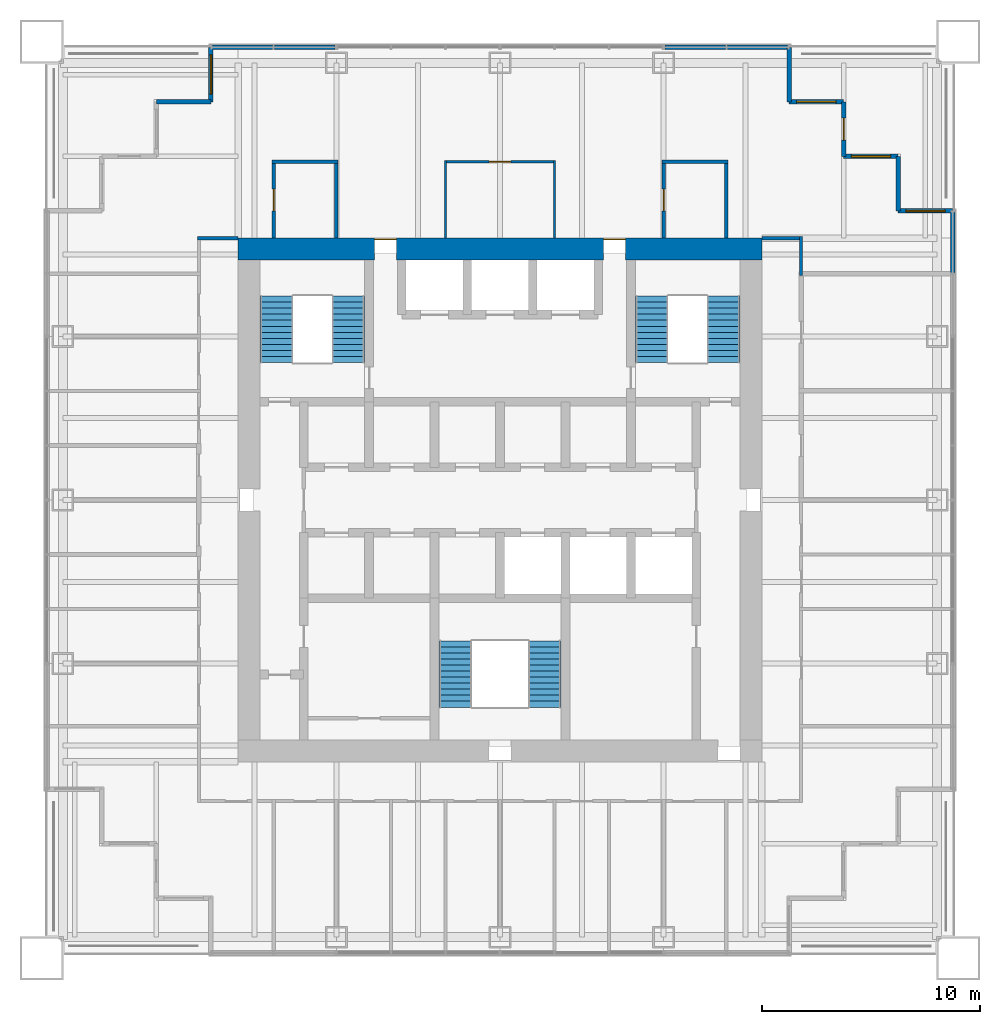
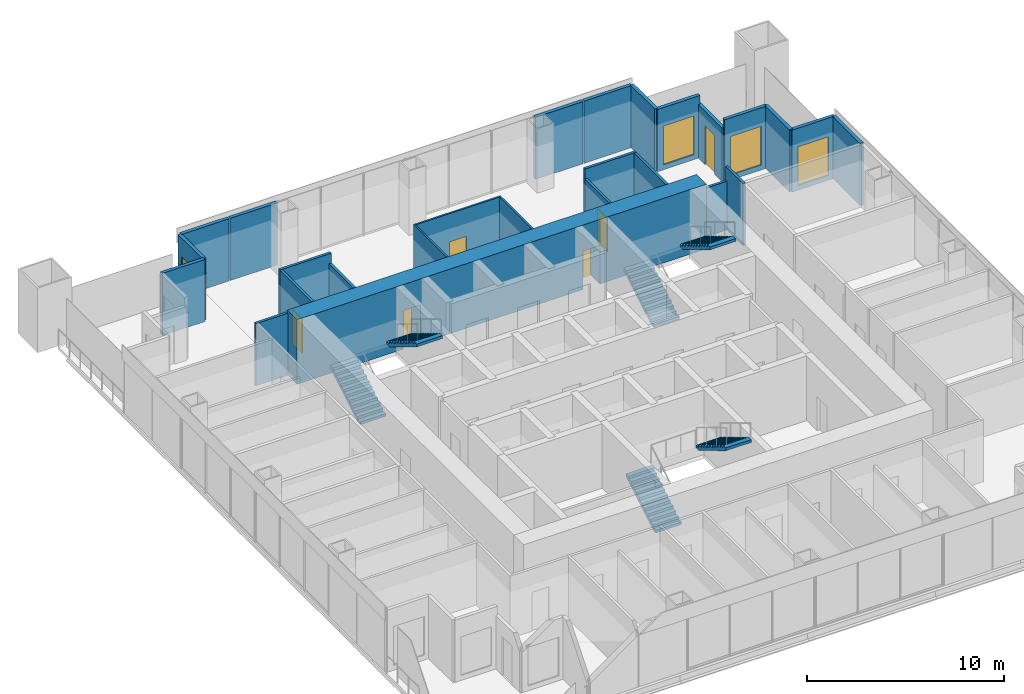
# One storey, part 12 of 14: 26 walls, 6 doors, 6 stair flights, 4 windows, 10 openings, 3 elements without a shape of their own.
"""IFC4 building model written with IfcOpenShell, lengths in metres."""

from ifc_helpers import new_model, si_unit, direction, frame, frame_2d, origin, place, context, subcontext, project, spatial, polyline, rectangle, outline, extrude, material, layer, layer_set, type_object, element, fill, aggregate, save


model = new_model("IFC4")

# Units and contexts
model_context = context("Model", 3, precision=1e-05, world=origin(), true_north=direction((0.0, 1.0)))
body_context = subcontext(model_context, "Body", "Model", "MODEL_VIEW")
ifc_project = project(units=[si_unit("LENGTHUNIT", "METRE"), si_unit("AREAUNIT", "SQUARE_METRE"), si_unit("VOLUMEUNIT", "CUBIC_METRE"), si_unit("PLANEANGLEUNIT", "RADIAN"), si_unit("MASSUNIT", "GRAM", prefix="KILO")], contexts=[model_context])

# Site, building, storey
site_placement = place(None, origin())
site = spatial("IfcSite", under=ifc_project, at=site_placement, CompositionType="ELEMENT")
building_placement = place(site_placement, origin())
building = spatial("IfcBuilding", under=site, at=building_placement, Name="Tarangal Relay Tower", CompositionType="ELEMENT")
storey_placement = place(building_placement, frame((0.0, 0.0, 303.89990234375)))
storey = spatial("IfcBuildingStorey", under=building, at=storey_placement, Name="L67", CompositionType="ELEMENT", Elevation=303.89990234375)

# Wall, openings, doors
ifc_material_1 = material(Name="Concrete fc' 60 MPa", Category="concrete")
ifc_layer_1 = layer(ifc_material_1, 1.0)
ifc_layer_set_1 = layer_set([ifc_layer_1], Name="Core wall 1000")
wall_type_1 = type_object("IfcWallType", Name="Core wall 1000", PredefinedType="SHEAR", material=ifc_layer_set_1)
wall_1_placement = place(storey_placement, frame((-12.0, 11.5, 0.0), z_axis=(0.0, 0.0, 1.0), x_axis=(1.0, 0.0, 0.0)))
wall_1 = element("IfcWall", 1, at=wall_1_placement, inside=storey, type_object=wall_type_1, Name="Core wall N L67", PredefinedType="SHEAR", context=body_context, shape_type="SweptSolid", body=[
    extrude(rectangle(XDim=24.0, YDim=1.0, at=frame_2d((12.0, 0.0))), origin(), (0.0, 0.0, 1.0), 4.0),
])
opening_1_placement = place(wall_1_placement, frame((6.25, 0.0, 0.0)))
opening_1 = element("IfcOpeningElement", 2, at=opening_1_placement, cuts=wall_1, Name="Opening FD3", PredefinedType="OPENING", context=body_context, shape_type="SweptSolid", body=[
    extrude(rectangle(XDim=1.0, YDim=2.39990234375, at=frame_2d((0.5, 1.199951171875))), frame((0.0, 0.510009765625, 0.0), z_axis=(0.0, -1.0, 0.0), x_axis=(1.0, 0.0, 0.0)), (0.0, 0.0, 1.0), 1.02001953125),
])
opening_2_placement = place(wall_1_placement, frame((16.75, 0.0, 0.0)))
opening_2 = element("IfcOpeningElement", 3, at=opening_2_placement, cuts=wall_1, Name="Opening FD3", PredefinedType="OPENING", context=body_context, shape_type="SweptSolid", body=[
    extrude(rectangle(XDim=1.0, YDim=2.39990234375, at=frame_2d((0.5, 1.199951171875))), frame((0.0, 0.510009765625, 0.0), z_axis=(0.0, -1.0, 0.0), x_axis=(1.0, 0.0, 0.0)), (0.0, 0.0, 1.0), 1.02001953125),
])
ifc_material_2 = material(Name="Steel door with hardwood frame", Category="steel")
door_type_1 = type_object("IfcDoorType", Name="Fire door 1000 x 2400 core entry", OperationType="SINGLE_SWING_RIGHT", PredefinedType="DOOR", material=ifc_material_2)
door_1_placement = place(opening_1_placement, origin())
door_1 = element("IfcDoor", 4, at=door_1_placement, inside=storey, type_object=door_type_1, Name="Core entry door north west L67", OperationType="SINGLE_SWING_RIGHT", OverallHeight=2.39990234375, OverallWidth=1.0, PredefinedType="DOOR", context=body_context, shape_type="SweptSolid", body=[
    extrude(rectangle(XDim=1.0, YDim=2.39990234375, at=frame_2d((0.5, 1.199951171875))), frame((0.0, 0.48486328125, 0.0), z_axis=(0.0, -1.0, 0.0), x_axis=(1.0, 0.0, 0.0)), (0.0, 0.0, 1.0), 0.050048828125),
])
fill(opening_1, door_1)
door_2_placement = place(opening_2_placement, origin())
door_2 = element("IfcDoor", 5, at=door_2_placement, inside=storey, type_object=door_type_1, Name="Core entry door north east L67", OperationType="SINGLE_SWING_RIGHT", OverallHeight=2.39990234375, OverallWidth=1.0, PredefinedType="DOOR", context=body_context, shape_type="SweptSolid", body=[
    extrude(rectangle(XDim=1.0, YDim=2.39990234375, at=frame_2d((0.5, 1.199951171875))), frame((0.0, 0.48486328125, 0.0), z_axis=(0.0, -1.0, 0.0), x_axis=(1.0, 0.0, 0.0)), (0.0, 0.0, 1.0), 0.050048828125),
])
fill(opening_2, door_2)

# Wall
ifc_material_3 = material(Name="Black metal clad insulated wall", Category="steel")
ifc_layer_2 = layer(ifc_material_3, 0.199951171875)
ifc_layer_set_2 = layer_set([ifc_layer_2], Name="Corner wall metal clad 200")
wall_type_2 = type_object("IfcWallType", Name="Corner wall metal clad 200", PredefinedType="SOLIDWALL", material=ifc_layer_set_2)
wall_2_placement = place(storey_placement, frame((13.25, 20.75, 0.0), z_axis=(0.0, 0.0, 1.0), x_axis=(0.0, -1.0, 0.0)))
element("IfcWall", 6, at=wall_2_placement, inside=storey, type_object=wall_type_2, Name="Facade wall N facade L67", PredefinedType="SOLIDWALL", context=body_context, shape_type="SweptSolid", body=[
    extrude(rectangle(XDim=2.5, YDim=0.199951171875, at=frame_2d((1.25, 0.0))), origin(), (0.0, 0.0, 1.0), 3.85009765625),
])

# Wall, opening, window
wall_3_placement = place(storey_placement, frame((13.25, 18.25, 0.0), z_axis=(0.0, 0.0, 1.0), x_axis=(1.0, 0.0, 0.0)))
wall_3 = element("IfcWall", 7, at=wall_3_placement, inside=storey, type_object=wall_type_2, Name="Facade wall N facade L67", PredefinedType="SOLIDWALL", context=body_context, shape_type="SweptSolid", body=[
    extrude(rectangle(XDim=2.5, YDim=0.199951171875, at=frame_2d((1.25, 0.0))), origin(), (0.0, 0.0, 1.0), 3.85009765625),
])
opening_3_placement = place(wall_3_placement, frame((0.35009765625, 0.0, 0.300048828125)))
opening_3 = element("IfcOpeningElement", 8, at=opening_3_placement, cuts=wall_3, Name="Opening WN2", PredefinedType="OPENING", context=body_context, shape_type="SweptSolid", body=[
    extrude(rectangle(XDim=1.800048828125, YDim=2.39990234375, at=frame_2d((0.89990234375, 1.199951171875))), frame((0.0, 0.10986328125, 0.0), z_axis=(0.0, -1.0, 0.0), x_axis=(1.0, 0.0, 0.0)), (0.0, 0.0, 1.0), 0.219970703125),
])
ifc_material_4 = material(Name="Dark tinted double glazing in black aluminium frame", Category="aluminium")
window_type = type_object("IfcWindowType", Name="Corner window 1800 x 2400", PartitioningType="SINGLE_PANEL", PredefinedType="WINDOW", material=ifc_material_4)
window_1_placement = place(opening_3_placement, origin())
window_1 = element("IfcWindow", 9, at=window_1_placement, inside=storey, type_object=window_type, Name="Corner window WN2 N facade L67", OverallHeight=2.39990234375, OverallWidth=1.800048828125, PartitioningType="SINGLE_PANEL", PredefinedType="WINDOW", context=body_context, shape_type="SweptSolid", body=[
    extrude(rectangle(XDim=1.800048828125, YDim=2.39990234375, at=frame_2d((0.89990234375, 1.199951171875))), frame((0.0, 0.030029296875, 0.0), z_axis=(0.0, -1.0, 0.0), x_axis=(1.0, 0.0, 0.0)), (0.0, 0.0, 1.0), 0.06005859375),
])
fill(opening_3, window_1)

# Wall, opening, door
wall_4_placement = place(storey_placement, frame((15.75, 18.25, 0.0), z_axis=(0.0, 0.0, 1.0), x_axis=(0.0, -1.0, 0.0)))
wall_4 = element("IfcWall", 10, at=wall_4_placement, inside=storey, type_object=wall_type_2, Name="Facade wall N facade L67", PredefinedType="SOLIDWALL", context=body_context, shape_type="SweptSolid", body=[
    extrude(rectangle(XDim=2.5, YDim=0.199951171875, at=frame_2d((1.25, 0.0))), origin(), (0.0, 0.0, 1.0), 3.316650390625),
])
opening_4_placement = place(wall_4_placement, frame((0.75, 0.0, 0.0)))
opening_4 = element("IfcOpeningElement", 11, at=opening_4_placement, cuts=wall_4, Name="Opening TD1", PredefinedType="OPENING", context=body_context, shape_type="SweptSolid", body=[
    extrude(rectangle(XDim=1.0, YDim=2.39990234375, at=frame_2d((0.5, 1.199951171875))), frame((0.0, 0.10986328125, 0.0), z_axis=(0.0, -1.0, 0.0), x_axis=(1.0, 0.0, 0.0)), (0.0, 0.0, 1.0), 0.219970703125),
])
ifc_material_5 = material(Name="Aluminium glazed door", Category="aluminium")
door_type_2 = type_object("IfcDoorType", Name="Terrace door 1000 x 2400", OperationType="SINGLE_SWING_RIGHT", PredefinedType="DOOR", material=ifc_material_5)
door_3_placement = place(opening_4_placement, origin())
door_3 = element("IfcDoor", 12, at=door_3_placement, inside=storey, type_object=door_type_2, Name="Terrace door TD1 NE L67", OperationType="SINGLE_SWING_RIGHT", OverallHeight=2.39990234375, OverallWidth=1.0, PredefinedType="DOOR", context=body_context, shape_type="SweptSolid", body=[
    extrude(rectangle(XDim=1.0, YDim=2.39990234375, at=frame_2d((0.5, 1.199951171875))), frame((0.0, 0.02490234375, 0.0), z_axis=(0.0, -1.0, 0.0), x_axis=(1.0, 0.0, 0.0)), (0.0, 0.0, 1.0), 0.050048828125),
])
fill(opening_4, door_3)

# Wall, opening, window
wall_5_placement = place(storey_placement, frame((15.75, 15.75, 0.0), z_axis=(0.0, 0.0, 1.0), x_axis=(1.0, 0.0, 0.0)))
wall_5 = element("IfcWall", 13, at=wall_5_placement, inside=storey, type_object=wall_type_2, Name="Facade wall N facade L67", PredefinedType="SOLIDWALL", context=body_context, shape_type="SweptSolid", body=[
    extrude(rectangle(XDim=2.5, YDim=0.199951171875, at=frame_2d((1.25, 0.0))), origin(), (0.0, 0.0, 1.0), 3.85009765625),
])
opening_5_placement = place(wall_5_placement, frame((0.35009765625, 0.0, 0.300048828125)))
opening_5 = element("IfcOpeningElement", 14, at=opening_5_placement, cuts=wall_5, Name="Opening WN2", PredefinedType="OPENING", context=body_context, shape_type="SweptSolid", body=[
    extrude(rectangle(XDim=1.800048828125, YDim=2.39990234375, at=frame_2d((0.89990234375, 1.199951171875))), frame((0.0, 0.10986328125, 0.0), z_axis=(0.0, -1.0, 0.0), x_axis=(1.0, 0.0, 0.0)), (0.0, 0.0, 1.0), 0.219970703125),
])
window_2_placement = place(opening_5_placement, origin())
window_2 = element("IfcWindow", 15, at=window_2_placement, inside=storey, type_object=window_type, Name="Corner window WN2 N facade L67", OverallHeight=2.39990234375, OverallWidth=1.800048828125, PartitioningType="SINGLE_PANEL", PredefinedType="WINDOW", context=body_context, shape_type="SweptSolid", body=[
    extrude(rectangle(XDim=1.800048828125, YDim=2.39990234375, at=frame_2d((0.89990234375, 1.199951171875))), frame((0.0, 0.030029296875, 0.0), z_axis=(0.0, -1.0, 0.0), x_axis=(1.0, 0.0, 0.0)), (0.0, 0.0, 1.0), 0.06005859375),
])
fill(opening_5, window_2)

# Wall
wall_6_placement = place(storey_placement, frame((18.25, 15.75, 0.0), z_axis=(0.0, 0.0, 1.0), x_axis=(0.0, -1.0, 0.0)))
element("IfcWall", 16, at=wall_6_placement, inside=storey, type_object=wall_type_2, Name="Facade wall N facade L67", PredefinedType="SOLIDWALL", context=body_context, shape_type="SweptSolid", body=[
    extrude(rectangle(XDim=2.5, YDim=0.199951171875, at=frame_2d((1.25, 0.0))), origin(), (0.0, 0.0, 1.0), 3.85009765625),
])

# Wall, opening, window
wall_7_placement = place(storey_placement, frame((18.25, 13.25, 0.0), z_axis=(0.0, 0.0, 1.0), x_axis=(1.0, 0.0, 0.0)))
wall_7 = element("IfcWall", 17, at=wall_7_placement, inside=storey, type_object=wall_type_2, Name="Facade wall N facade L67", PredefinedType="SOLIDWALL", context=body_context, shape_type="SweptSolid", body=[
    extrude(rectangle(XDim=2.5, YDim=0.199951171875, at=frame_2d((1.25, 0.0))), origin(), (0.0, 0.0, 1.0), 3.85009765625),
])
opening_6_placement = place(wall_7_placement, frame((0.35009765625, 0.0, 0.300048828125)))
opening_6 = element("IfcOpeningElement", 18, at=opening_6_placement, cuts=wall_7, Name="Opening WN2", PredefinedType="OPENING", context=body_context, shape_type="SweptSolid", body=[
    extrude(rectangle(XDim=1.800048828125, YDim=2.39990234375, at=frame_2d((0.89990234375, 1.199951171875))), frame((0.0, 0.10986328125, 0.0), z_axis=(0.0, -1.0, 0.0), x_axis=(1.0, 0.0, 0.0)), (0.0, 0.0, 1.0), 0.219970703125),
])
window_3_placement = place(opening_6_placement, origin())
window_3 = element("IfcWindow", 19, at=window_3_placement, inside=storey, type_object=window_type, Name="Corner window WN2 N facade L67", OverallHeight=2.39990234375, OverallWidth=1.800048828125, PartitioningType="SINGLE_PANEL", PredefinedType="WINDOW", context=body_context, shape_type="SweptSolid", body=[
    extrude(rectangle(XDim=1.800048828125, YDim=2.39990234375, at=frame_2d((0.89990234375, 1.199951171875))), frame((0.0, 0.030029296875, 0.0), z_axis=(0.0, -1.0, 0.0), x_axis=(1.0, 0.0, 0.0)), (0.0, 0.0, 1.0), 0.06005859375),
])
fill(opening_6, window_3)

# Wall
wall_8_placement = place(storey_placement, frame((-15.75, 18.25, 0.0), z_axis=(0.0, 0.0, 1.0), x_axis=(1.0, 0.0, 0.0)))
element("IfcWall", 20, at=wall_8_placement, inside=storey, type_object=wall_type_2, Name="Facade wall W facade L67", PredefinedType="SOLIDWALL", context=body_context, shape_type="SweptSolid", body=[
    extrude(rectangle(XDim=2.5, YDim=0.199951171875, at=frame_2d((1.25, 0.0))), origin(), (0.0, 0.0, 1.0), 3.85009765625),
])

# Wall, opening, window
wall_9_placement = place(storey_placement, frame((-13.25, 18.25, 0.0), z_axis=(0.0, 0.0, 1.0), x_axis=(0.0, 1.0, 0.0)))
wall_9 = element("IfcWall", 21, at=wall_9_placement, inside=storey, type_object=wall_type_2, Name="Facade wall W facade L67", PredefinedType="SOLIDWALL", context=body_context, shape_type="SweptSolid", body=[
    extrude(rectangle(XDim=2.5, YDim=0.199951171875, at=frame_2d((1.25, 0.0))), origin(), (0.0, 0.0, 1.0), 3.85009765625),
])
opening_7_placement = place(wall_9_placement, frame((0.35009765625, 0.0, 0.300048828125)))
opening_7 = element("IfcOpeningElement", 22, at=opening_7_placement, cuts=wall_9, Name="Opening WN2", PredefinedType="OPENING", context=body_context, shape_type="SweptSolid", body=[
    extrude(rectangle(XDim=1.800048828125, YDim=2.39990234375, at=frame_2d((0.89990234375, 1.199951171875))), frame((0.0, 0.10986328125, 0.0), z_axis=(0.0, -1.0, 0.0), x_axis=(1.0, 0.0, 0.0)), (0.0, 0.0, 1.0), 0.219970703125),
])
window_4_placement = place(opening_7_placement, origin())
window_4 = element("IfcWindow", 23, at=window_4_placement, inside=storey, type_object=window_type, Name="Corner window WN2 W facade L67", OverallHeight=2.39990234375, OverallWidth=1.800048828125, PartitioningType="SINGLE_PANEL", PredefinedType="WINDOW", context=body_context, shape_type="SweptSolid", body=[
    extrude(rectangle(XDim=1.800048828125, YDim=2.39990234375, at=frame_2d((0.89990234375, 1.199951171875))), frame((0.0, 0.030029296875, 0.0), z_axis=(0.0, -1.0, 0.0), x_axis=(1.0, 0.0, 0.0)), (0.0, 0.0, 1.0), 0.06005859375),
])
fill(opening_7, window_4)

# Walls
ifc_layer_3 = layer(ifc_material_3, 0.199951171875)
ifc_layer_set_3 = layer_set([ifc_layer_3], Name="Facade infill wall metal clad 200")
wall_type_3 = type_object("IfcWallType", Name="Facade infill wall metal clad 200", PredefinedType="SOLIDWALL", material=ifc_layer_set_3)
for number, where, z_axis, x_axis, name in (
    (24, (-13.18994140625, 20.75, 0.0), (0.0, 0.0, 1.0), (1.0, 0.0, 0.0), "Facade infill wall N facade L67 1.1"),
    (25, (-10.344970703125, 20.75, 0.0), (0.0, 0.0, 1.0), (1.0, 0.0, 0.0), "Facade infill wall N facade L67 2.1"),
    (26, (7.56005859375, 20.75, 0.0), (0.0, 0.0, 1.0), (1.0, 0.0, 0.0), "Facade infill wall N facade L67 1.1"),
    (27, (10.405029296875, 20.75, 0.0), (0.0, 0.0, 1.0), (1.0, 0.0, 0.0), "Facade infill wall N facade L67 2.1"),
    (28, (20.75, 13.18994140625, 0.0), (0.0, 0.0, 1.0), (0.0, -1.0, 0.0), "Facade infill wall E facade L67 1.1"),
):
    element("IfcWall", number, at=place(storey_placement, frame(where, z_axis=z_axis, x_axis=x_axis)), inside=storey, type_object=wall_type_3, Name=name, PredefinedType="SOLIDWALL", context=body_context, shape_type="SweptSolid", body=[
        extrude(rectangle(XDim=2.784912109375, YDim=0.199951171875, at=frame_2d((1.392578125, 0.0))), origin(), (0.0, 0.0, 1.0), 3.85009765625),
    ])

# Wall, opening, door
ifc_material_6 = material(Name="Double glazed aluminium framed partition", Category="aluminium")
ifc_layer_4 = layer(ifc_material_6, 0.10009765625)
ifc_layer_set_4 = layer_set([ifc_layer_4], Name="Glazed partition 100")
wall_type_4 = type_object("IfcWallType", Name="Glazed partition 100", PredefinedType="PARTITIONING", material=ifc_layer_set_4)
wall_10_placement = place(storey_placement, frame((-2.550048828125, 15.5, 0.0), z_axis=(0.0, 0.0, 1.0), x_axis=(1.0, 0.0, 0.0)))
wall_10 = element("IfcWall", 29, at=wall_10_placement, inside=storey, type_object=wall_type_4, Name="Partition PT3 L67", PredefinedType="PARTITIONING", context=body_context, shape_type="SweptSolid", body=[
    extrude(rectangle(XDim=5.10009765625, YDim=0.10009765625, at=frame_2d((2.550048828125, 0.0))), origin(), (0.0, 0.0, 1.0), 3.85009765625),
])
opening_8_placement = place(wall_10_placement, frame((2.050048828125, 0.0, 0.0)))
opening_8 = element("IfcOpeningElement", 30, at=opening_8_placement, cuts=wall_10, Name="Opening D3", PredefinedType="OPENING", context=body_context, shape_type="SweptSolid", body=[
    extrude(rectangle(XDim=1.0, YDim=2.10009765625, at=frame_2d((0.5, 1.050048828125))), frame((0.0, 0.06005859375, 0.0), z_axis=(0.0, -1.0, 0.0), x_axis=(1.0, 0.0, 0.0)), (0.0, 0.0, 1.0), 0.1201171875),
])
ifc_material_7 = material(Name="Frameless glass door", Category="glass")
door_type_3 = type_object("IfcDoorType", Name="Glazed door 1000 x 2100", OperationType="SINGLE_SWING_LEFT", PredefinedType="DOOR", material=ifc_material_7)
door_4_placement = place(opening_8_placement, origin())
door_4 = element("IfcDoor", 31, at=door_4_placement, inside=storey, type_object=door_type_3, Name="Door D3 to project room L67-03", OperationType="SINGLE_SWING_LEFT", OverallHeight=2.10009765625, OverallWidth=1.0, PredefinedType="DOOR", context=body_context, shape_type="SweptSolid", body=[
    extrude(rectangle(XDim=1.0, YDim=2.10009765625, at=frame_2d((0.5, 1.050048828125))), frame((0.0, 0.02490234375, 0.0), z_axis=(0.0, -1.0, 0.0), x_axis=(1.0, 0.0, 0.0)), (0.0, 0.0, 1.0), 0.050048828125),
])
fill(opening_8, door_4)

# Walls
for number, where, z_axis, x_axis, name in (
    (32, (-2.5, 12.0, 0.0), (0.0, 0.0, 1.0), (0.0, 1.0, 0.0), "Partition PT3 L67"),
    (33, (2.5, 12.0, 0.0), (0.0, 0.0, 1.0), (0.0, 1.0, 0.0), "Partition PT3 L67"),
):
    element("IfcWall", number, at=place(storey_placement, frame(where, z_axis=z_axis, x_axis=x_axis)), inside=storey, type_object=wall_type_4, Name=name, PredefinedType="PARTITIONING", context=body_context, shape_type="SweptSolid", body=[
        extrude(rectangle(XDim=3.550048828125, YDim=0.10009765625, at=frame_2d((1.77490234375, 0.0))), origin(), (0.0, 0.0, 1.0), 3.85009765625),
    ])
ifc_material_8 = material(Name="Gypsum board on steel studs", Category="steel")
ifc_layer_5 = layer(ifc_material_8, 0.14990234375)
ifc_layer_set_5 = layer_set([ifc_layer_5], Name="Partition 150")
wall_type_5 = type_object("IfcWallType", Name="Partition 150", PredefinedType="PARTITIONING", material=ifc_layer_set_5)
wall_11_placement = place(storey_placement, frame((-13.875, 12.0, 0.0), z_axis=(0.0, 0.0, 1.0), x_axis=(1.0, 0.0, 0.0)))
element("IfcWall", 34, at=wall_11_placement, inside=storey, type_object=wall_type_5, Name="Partition PT1 L67", PredefinedType="PARTITIONING", context=body_context, shape_type="SweptSolid", body=[
    extrude(rectangle(XDim=1.875, YDim=0.14990234375, at=frame_2d((0.9375, 0.0))), origin(), (0.0, 0.0, 1.0), 3.85009765625),
])
wall_12_placement = place(storey_placement, frame((12.0, 12.0, 0.0), z_axis=(0.0, 0.0, 1.0), x_axis=(1.0, 0.0, 0.0)))
element("IfcWall", 35, at=wall_12_placement, inside=storey, type_object=wall_type_5, Name="Partition PT1 L67", PredefinedType="PARTITIONING", context=body_context, shape_type="SweptSolid", body=[
    extrude(rectangle(XDim=1.875, YDim=0.14990234375, at=frame_2d((0.9375, 0.0))), origin(), (0.0, 0.0, 1.0), 3.009521484375),
])
for number, where, z_axis, x_axis, name in (
    (36, (-10.449951171875, 15.5, 0.0), (0.0, 0.0, 1.0), (1.0, 0.0, 0.0), "Partition PT1 L67"),
    (37, (7.425048828125, 15.5, 0.0), (0.0, 0.0, 1.0), (1.0, 0.0, 0.0), "Partition PT1 L67"),
):
    element("IfcWall", number, at=place(storey_placement, frame(where, z_axis=z_axis, x_axis=x_axis)), inside=storey, type_object=wall_type_5, Name=name, PredefinedType="PARTITIONING", context=body_context, shape_type="SweptSolid", body=[
        extrude(rectangle(XDim=3.02490234375, YDim=0.14990234375, at=frame_2d((1.512451171875, 0.0))), origin(), (0.0, 0.0, 1.0), 3.85009765625),
    ])

# Wall, opening, door
wall_13_placement = place(storey_placement, frame((-10.375, 12.0, 0.0), z_axis=(0.0, 0.0, 1.0), x_axis=(0.0, 1.0, 0.0)))
wall_13 = element("IfcWall", 38, at=wall_13_placement, inside=storey, type_object=wall_type_5, Name="Partition PT1 L67", PredefinedType="PARTITIONING", context=body_context, shape_type="SweptSolid", body=[
    extrude(rectangle(XDim=3.574951171875, YDim=0.14990234375, at=frame_2d((1.78759765625, 0.0))), origin(), (0.0, 0.0, 1.0), 3.85009765625),
])
opening_9_placement = place(wall_13_placement, frame((1.25, 0.0, 0.0)))
opening_9 = element("IfcOpeningElement", 39, at=opening_9_placement, cuts=wall_13, Name="Opening D2", PredefinedType="OPENING", context=body_context, shape_type="SweptSolid", body=[
    extrude(rectangle(XDim=1.0, YDim=2.10009765625, at=frame_2d((0.5, 1.050048828125))), frame((0.0, 0.0849609375, 0.0), z_axis=(0.0, -1.0, 0.0), x_axis=(1.0, 0.0, 0.0)), (0.0, 0.0, 1.0), 0.169921875),
])
ifc_material_9 = material(Name="Hardwood door", Category="wood")
door_type_4 = type_object("IfcDoorType", Name="Door 1000 x 2100", OperationType="SINGLE_SWING_LEFT", PredefinedType="DOOR", material=ifc_material_9)
door_5_placement = place(opening_9_placement, origin())
door_5 = element("IfcDoor", 40, at=door_5_placement, inside=storey, type_object=door_type_4, Name="Door D2 to cellular office L67-02", OperationType="SINGLE_SWING_LEFT", OverallHeight=2.10009765625, OverallWidth=1.0, PredefinedType="DOOR", context=body_context, shape_type="SweptSolid", body=[
    extrude(rectangle(XDim=1.0, YDim=2.10009765625, at=frame_2d((0.5, 1.050048828125))), frame((0.0, 0.02490234375, 0.0), z_axis=(0.0, -1.0, 0.0), x_axis=(1.0, 0.0, 0.0)), (0.0, 0.0, 1.0), 0.050048828125),
])
fill(opening_9, door_5)

# Wall
wall_14_placement = place(storey_placement, frame((-7.5, 12.0, 0.0), z_axis=(0.0, 0.0, 1.0), x_axis=(0.0, 1.0, 0.0)))
element("IfcWall", 41, at=wall_14_placement, inside=storey, type_object=wall_type_5, Name="Partition PT1 L67", PredefinedType="PARTITIONING", context=body_context, shape_type="SweptSolid", body=[
    extrude(rectangle(XDim=3.574951171875, YDim=0.14990234375, at=frame_2d((1.78759765625, 0.0))), origin(), (0.0, 0.0, 1.0), 3.2431640625),
])

# Wall, opening, door
wall_15_placement = place(storey_placement, frame((7.5, 12.0, 0.0), z_axis=(0.0, 0.0, 1.0), x_axis=(0.0, 1.0, 0.0)))
wall_15 = element("IfcWall", 42, at=wall_15_placement, inside=storey, type_object=wall_type_5, Name="Partition PT1 L67", PredefinedType="PARTITIONING", context=body_context, shape_type="SweptSolid", body=[
    extrude(rectangle(XDim=3.574951171875, YDim=0.14990234375, at=frame_2d((1.78759765625, 0.0))), origin(), (0.0, 0.0, 1.0), 3.2431640625),
])
opening_10_placement = place(wall_15_placement, frame((1.25, 0.0, 0.0)))
opening_10 = element("IfcOpeningElement", 43, at=opening_10_placement, cuts=wall_15, Name="Opening D2", PredefinedType="OPENING", context=body_context, shape_type="SweptSolid", body=[
    extrude(rectangle(XDim=1.0, YDim=2.10009765625, at=frame_2d((0.5, 1.050048828125))), frame((0.0, 0.0849609375, 0.0), z_axis=(0.0, -1.0, 0.0), x_axis=(1.0, 0.0, 0.0)), (0.0, 0.0, 1.0), 0.169921875),
])
door_6_placement = place(opening_10_placement, origin())
door_6 = element("IfcDoor", 44, at=door_6_placement, inside=storey, type_object=door_type_4, Name="Door D2 to cellular office L67-04", OperationType="SINGLE_SWING_LEFT", OverallHeight=2.10009765625, OverallWidth=1.0, PredefinedType="DOOR", context=body_context, shape_type="SweptSolid", body=[
    extrude(rectangle(XDim=1.0, YDim=2.10009765625, at=frame_2d((0.5, 1.050048828125))), frame((0.0, 0.02490234375, 0.0), z_axis=(0.0, -1.0, 0.0), x_axis=(1.0, 0.0, 0.0)), (0.0, 0.0, 1.0), 0.050048828125),
])
fill(opening_10, door_6)

# Walls
wall_16_placement = place(storey_placement, frame((10.375, 12.0, 0.0), z_axis=(0.0, 0.0, 1.0), x_axis=(0.0, 1.0, 0.0)))
element("IfcWall", 45, at=wall_16_placement, inside=storey, type_object=wall_type_5, Name="Partition PT1 L67", PredefinedType="PARTITIONING", context=body_context, shape_type="SweptSolid", body=[
    extrude(rectangle(XDim=3.574951171875, YDim=0.14990234375, at=frame_2d((1.78759765625, 0.0))), origin(), (0.0, 0.0, 1.0), 3.85009765625),
])
wall_17_placement = place(storey_placement, frame((13.800048828125, 10.300048828125, 0.0), z_axis=(0.0, 0.0, 1.0), x_axis=(0.0, 1.0, 0.0)))
element("IfcWall", 46, at=wall_17_placement, inside=storey, type_object=wall_type_5, Name="Partition PT1 L67", PredefinedType="PARTITIONING", context=body_context, shape_type="SweptSolid", body=[
    extrude(rectangle(XDim=1.77490234375, YDim=0.14990234375, at=frame_2d((0.887451171875, 0.0))), origin(), (0.0, 0.0, 1.0), 3.85009765625),
])

# Stair, stair flights
ifc_material_10 = material(Name="Steel ASTM A992 stair flight", Category="steel")
stair_type = type_object("IfcStairType", Name="Core stair 1500", PredefinedType="HALF_TURN_STAIR", material=ifc_material_10)
stair_1_placement = place(storey_placement, origin())
stair_1 = element("IfcStair", 47, at=stair_1_placement, inside=storey, type_object=stair_type, Name="Stair ST-A L67", PredefinedType="HALF_TURN_STAIR")
stair_flight_type = type_object("IfcStairFlightType", Name="Steel stair flight 1500, 12 risers 167 x 277", PredefinedType="STRAIGHT", material=ifc_material_10)
stair_flight_1_placement = place(storey_placement, frame((-10.25, 6.300048828125, 0.0), z_axis=(0.0, 0.0, 1.0), x_axis=(0.0, 1.0, 0.0)))
stair_flight_1 = element("IfcStairFlight", 48, at=stair_flight_1_placement, type_object=stair_flight_type, Name="ST-A flight 1", NumberOfRisers=12, NumberOfTreads=11, PredefinedType="STRAIGHT", RiserHeight=0.166666667, TreadLength=0.277, context=body_context, shape_type="SweptSolid", body=[
    extrude(outline(polyline([(0.0, 0.0), (0.0, 0.166748046875), (0.277099609375, 0.166748046875), (0.277099609375, 0.333251953125), (0.553955078125, 0.333251953125), (0.553955078125, 0.5), (0.8310546875, 0.5), (0.8310546875, 0.666748046875), (1.10791015625, 0.666748046875), (1.10791015625, 0.833251953125), (1.385009765625, 0.833251953125), (1.385009765625, 1.0), (1.662109375, 1.0), (1.662109375, 1.166748046875), (1.93896484375, 1.166748046875), (1.93896484375, 1.333251953125), (2.216064453125, 1.333251953125), (2.216064453125, 1.5), (2.492919921875, 1.5), (2.492919921875, 1.666748046875), (2.77001953125, 1.666748046875), (2.77001953125, 1.833251953125), (3.047119140625, 1.833251953125), (3.047119140625, 2.0), (3.047119140625, 1.658447265625), (0.290771484375, 0.0), (0.0, 0.0)])), frame((0.0, 0.75, 0.0), z_axis=(0.0, -1.0, 0.0), x_axis=(1.0, 0.0, 0.0)), (0.0, 0.0, 1.0), 1.5),
])
stair_flight_2_placement = place(storey_placement, frame((-6.949951171875, 9.346923828125, 2.0), z_axis=(0.0, 0.0, 1.0), x_axis=(0.0, -1.0, 0.0)))
stair_flight_2 = element("IfcStairFlight", 49, at=stair_flight_2_placement, type_object=stair_flight_type, Name="ST-A flight 2", NumberOfRisers=12, NumberOfTreads=11, PredefinedType="STRAIGHT", RiserHeight=0.166666667, TreadLength=0.277, context=body_context, shape_type="SweptSolid", body=[
    extrude(outline(polyline([(0.0, 0.0), (0.0, 0.166748046875), (0.277099609375, 0.166748046875), (0.277099609375, 0.333251953125), (0.553955078125, 0.333251953125), (0.553955078125, 0.5), (0.8310546875, 0.5), (0.8310546875, 0.666748046875), (1.10791015625, 0.666748046875), (1.10791015625, 0.833251953125), (1.385009765625, 0.833251953125), (1.385009765625, 1.0), (1.662109375, 1.0), (1.662109375, 1.166748046875), (1.93896484375, 1.166748046875), (1.93896484375, 1.333251953125), (2.216064453125, 1.333251953125), (2.216064453125, 1.5), (2.492919921875, 1.5), (2.492919921875, 1.666748046875), (2.77001953125, 1.666748046875), (2.77001953125, 1.833251953125), (3.047119140625, 1.833251953125), (3.047119140625, 2.0), (3.047119140625, 1.658447265625), (0.290771484375, 0.0), (0.0, 0.0)])), frame((0.0, 0.75, 0.0), z_axis=(0.0, -1.0, 0.0), x_axis=(1.0, 0.0, 0.0)), (0.0, 0.0, 1.0), 1.5),
])
aggregate(stair_1, [stair_flight_1, stair_flight_2])

stair_2_placement = place(storey_placement, origin())
stair_2 = element("IfcStair", 50, at=stair_2_placement, inside=storey, type_object=stair_type, Name="Stair ST-B L67", PredefinedType="HALF_TURN_STAIR")
stair_flight_3_placement = place(storey_placement, frame((6.949951171875, 6.300048828125, 0.0), z_axis=(0.0, 0.0, 1.0), x_axis=(0.0, 1.0, 0.0)))
stair_flight_3 = element("IfcStairFlight", 51, at=stair_flight_3_placement, type_object=stair_flight_type, Name="ST-B flight 1", NumberOfRisers=12, NumberOfTreads=11, PredefinedType="STRAIGHT", RiserHeight=0.166666667, TreadLength=0.277, context=body_context, shape_type="SweptSolid", body=[
    extrude(outline(polyline([(0.0, 0.0), (0.0, 0.166748046875), (0.277099609375, 0.166748046875), (0.277099609375, 0.333251953125), (0.553955078125, 0.333251953125), (0.553955078125, 0.5), (0.8310546875, 0.5), (0.8310546875, 0.666748046875), (1.10791015625, 0.666748046875), (1.10791015625, 0.833251953125), (1.385009765625, 0.833251953125), (1.385009765625, 1.0), (1.662109375, 1.0), (1.662109375, 1.166748046875), (1.93896484375, 1.166748046875), (1.93896484375, 1.333251953125), (2.216064453125, 1.333251953125), (2.216064453125, 1.5), (2.492919921875, 1.5), (2.492919921875, 1.666748046875), (2.77001953125, 1.666748046875), (2.77001953125, 1.833251953125), (3.047119140625, 1.833251953125), (3.047119140625, 2.0), (3.047119140625, 1.658447265625), (0.290771484375, 0.0), (0.0, 0.0)])), frame((0.0, 0.75, 0.0), z_axis=(0.0, -1.0, 0.0), x_axis=(1.0, 0.0, 0.0)), (0.0, 0.0, 1.0), 1.5),
])
stair_flight_4_placement = place(storey_placement, frame((10.25, 9.346923828125, 2.0), z_axis=(0.0, 0.0, 1.0), x_axis=(0.0, -1.0, 0.0)))
stair_flight_4 = element("IfcStairFlight", 52, at=stair_flight_4_placement, type_object=stair_flight_type, Name="ST-B flight 2", NumberOfRisers=12, NumberOfTreads=11, PredefinedType="STRAIGHT", RiserHeight=0.166666667, TreadLength=0.277, context=body_context, shape_type="SweptSolid", body=[
    extrude(outline(polyline([(0.0, 0.0), (0.0, 0.166748046875), (0.277099609375, 0.166748046875), (0.277099609375, 0.333251953125), (0.553955078125, 0.333251953125), (0.553955078125, 0.5), (0.8310546875, 0.5), (0.8310546875, 0.666748046875), (1.10791015625, 0.666748046875), (1.10791015625, 0.833251953125), (1.385009765625, 0.833251953125), (1.385009765625, 1.0), (1.662109375, 1.0), (1.662109375, 1.166748046875), (1.93896484375, 1.166748046875), (1.93896484375, 1.333251953125), (2.216064453125, 1.333251953125), (2.216064453125, 1.5), (2.492919921875, 1.5), (2.492919921875, 1.666748046875), (2.77001953125, 1.666748046875), (2.77001953125, 1.833251953125), (3.047119140625, 1.833251953125), (3.047119140625, 2.0), (3.047119140625, 1.658447265625), (0.290771484375, 0.0), (0.0, 0.0)])), frame((0.0, 0.75, 0.0), z_axis=(0.0, -1.0, 0.0), x_axis=(1.0, 0.0, 0.0)), (0.0, 0.0, 1.0), 1.5),
])
aggregate(stair_2, [stair_flight_3, stair_flight_4])

stair_3_placement = place(storey_placement, origin())
stair_3 = element("IfcStair", 53, at=stair_3_placement, inside=storey, type_object=stair_type, Name="Stair ST-C L67", PredefinedType="HALF_TURN_STAIR")
stair_flight_5_placement = place(storey_placement, frame((-2.050048828125, -9.5, 0.0), z_axis=(0.0, 0.0, 1.0), x_axis=(0.0, 1.0, 0.0)))
stair_flight_5 = element("IfcStairFlight", 54, at=stair_flight_5_placement, type_object=stair_flight_type, Name="ST-C flight 1", NumberOfRisers=12, NumberOfTreads=11, PredefinedType="STRAIGHT", RiserHeight=0.166666667, TreadLength=0.277, context=body_context, shape_type="SweptSolid", body=[
    extrude(outline(polyline([(0.0, 0.0), (0.0, 0.166748046875), (0.277099609375, 0.166748046875), (0.277099609375, 0.333251953125), (0.553955078125, 0.333251953125), (0.553955078125, 0.5), (0.8310546875, 0.5), (0.8310546875, 0.666748046875), (1.10791015625, 0.666748046875), (1.10791015625, 0.833251953125), (1.385009765625, 0.833251953125), (1.385009765625, 1.0), (1.662109375, 1.0), (1.662109375, 1.166748046875), (1.93896484375, 1.166748046875), (1.93896484375, 1.333251953125), (2.216064453125, 1.333251953125), (2.216064453125, 1.5), (2.492919921875, 1.5), (2.492919921875, 1.666748046875), (2.77001953125, 1.666748046875), (2.77001953125, 1.833251953125), (3.047119140625, 1.833251953125), (3.047119140625, 2.0), (3.047119140625, 1.658447265625), (0.290771484375, 0.0), (0.0, 0.0)])), frame((0.0, 0.75, 0.0), z_axis=(0.0, -1.0, 0.0), x_axis=(1.0, 0.0, 0.0)), (0.0, 0.0, 1.0), 1.5),
])
stair_flight_6_placement = place(storey_placement, frame((2.050048828125, -6.452880859375, 2.0), z_axis=(0.0, 0.0, 1.0), x_axis=(0.0, -1.0, 0.0)))
stair_flight_6 = element("IfcStairFlight", 55, at=stair_flight_6_placement, type_object=stair_flight_type, Name="ST-C flight 2", NumberOfRisers=12, NumberOfTreads=11, PredefinedType="STRAIGHT", RiserHeight=0.166666667, TreadLength=0.277, context=body_context, shape_type="SweptSolid", body=[
    extrude(outline(polyline([(0.0, 0.0), (0.0, 0.166748046875), (0.277099609375, 0.166748046875), (0.277099609375, 0.333251953125), (0.553955078125, 0.333251953125), (0.553955078125, 0.5), (0.8310546875, 0.5), (0.8310546875, 0.666748046875), (1.10791015625, 0.666748046875), (1.10791015625, 0.833251953125), (1.385009765625, 0.833251953125), (1.385009765625, 1.0), (1.662109375, 1.0), (1.662109375, 1.166748046875), (1.93896484375, 1.166748046875), (1.93896484375, 1.333251953125), (2.216064453125, 1.333251953125), (2.216064453125, 1.5), (2.492919921875, 1.5), (2.492919921875, 1.666748046875), (2.77001953125, 1.666748046875), (2.77001953125, 1.833251953125), (3.047119140625, 1.833251953125), (3.047119140625, 2.0), (3.047119140625, 1.658447265625), (0.290771484375, 0.0), (0.0, 0.0)])), frame((0.0, 0.75, 0.0), z_axis=(0.0, -1.0, 0.0), x_axis=(1.0, 0.0, 0.0)), (0.0, 0.0, 1.0), 1.5),
])
aggregate(stair_3, [stair_flight_5, stair_flight_6])

save(model, "model.ifc")
